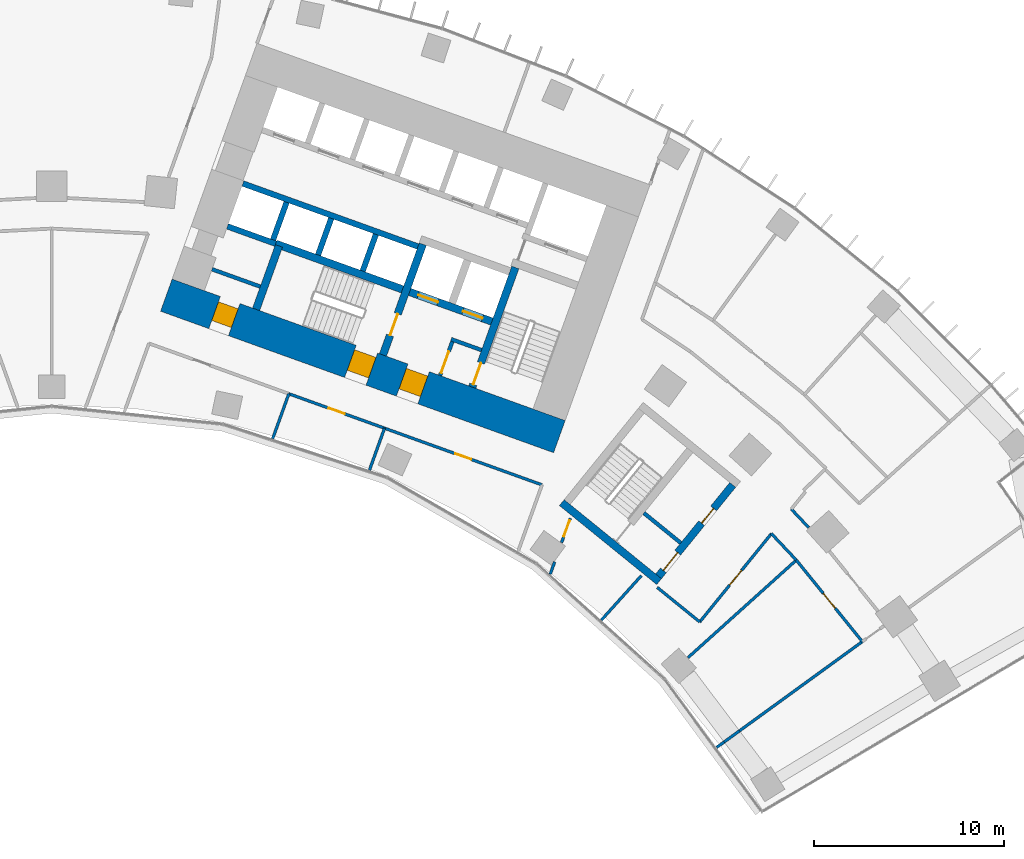
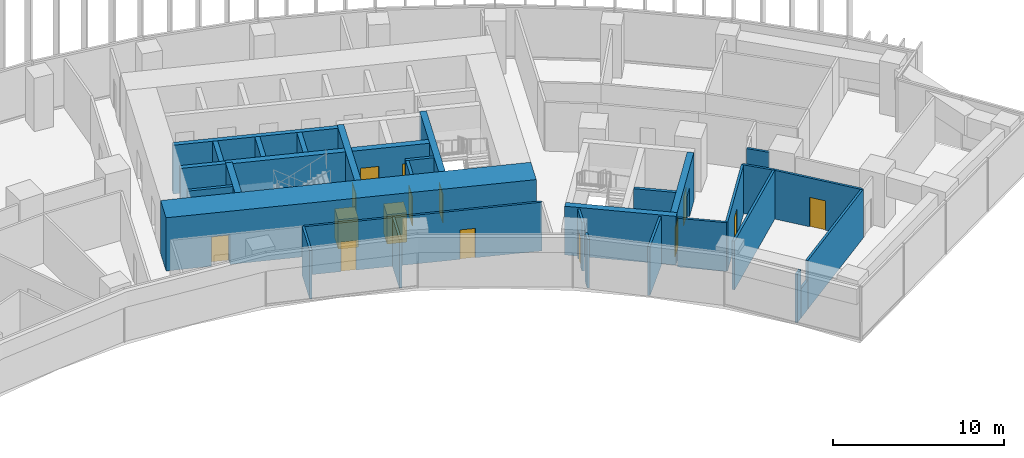
# One storey, part 20 of 24: 32 walls, 15 doors, 15 openings.
"""IFC4 building model written with IfcOpenShell, lengths in metres."""

from ifc_helpers import new_model, si_unit, direction, frame, frame_2d, origin, place, context, subcontext, project, spatial, rectangle, extrude, material, layer, layer_set, type_object, element, fill, save


model = new_model("IFC4")

# Units and contexts
model_context = context("Model", 3, precision=1e-05, world=origin(), true_north=direction((0.0, 1.0)))
body_context = subcontext(model_context, "Body", "Model", "MODEL_VIEW")
ifc_project = project(units=[si_unit("LENGTHUNIT", "METRE"), si_unit("AREAUNIT", "SQUARE_METRE"), si_unit("VOLUMEUNIT", "CUBIC_METRE"), si_unit("PLANEANGLEUNIT", "RADIAN"), si_unit("MASSUNIT", "GRAM", prefix="KILO")], contexts=[model_context])

# Site, building, storey
site_placement = place(None, origin())
site = spatial("IfcSite", under=ifc_project, at=site_placement, CompositionType="ELEMENT")
building_placement = place(site_placement, origin())
building = spatial("IfcBuilding", under=site, at=building_placement, Name="Stone Belt Terrace Tower", CompositionType="ELEMENT")
storey_placement = place(building_placement, frame((0.0, 0.0, 41.39990234375)))
storey = spatial("IfcBuildingStorey", under=building, at=storey_placement, Name="L09", CompositionType="ELEMENT", Elevation=41.39990234375)

# Wall, openings, doors
ifc_material_1 = material(Name="Concrete B80", Category="concrete")
ifc_layer_1 = layer(ifc_material_1, 1.800048828125)
ifc_layer_set_1 = layer_set([ifc_layer_1], Name="Core wall 1800 B80")
wall_type_1 = type_object("IfcWallType", Name="Core wall 1800 B80", PredefinedType="SHEAR", material=ifc_layer_set_1)
wall_1_placement = place(storey_placement, frame((6.039306640625, 49.265380859375, 0.0), z_axis=(0.0, 0.0, 1.0), x_axis=(0.940921642213, -0.338624368902, 0.0)))
wall_1 = element("IfcWall", 1, at=wall_1_placement, inside=storey, type_object=wall_type_1, Name="Core B wall concave L09", PredefinedType="SHEAR", context=body_context, shape_type="SweptSolid", body=[
    extrude(rectangle(XDim=22.0, YDim=1.800048828125, at=frame_2d((11.0, 0.0))), origin(), (0.0, 0.0, 1.0), 3.800048828125),
])
opening_1_placement = place(wall_1_placement, frame((13.199951171875, 0.0, 0.0)))
opening_1 = element("IfcOpeningElement", 2, at=opening_1_placement, cuts=wall_1, Name="Opening L09-C14", PredefinedType="OPENING", context=body_context, shape_type="SweptSolid", body=[
    extrude(rectangle(XDim=1.199951171875, YDim=2.10009765625, at=frame_2d((0.60009765625, 1.050048828125))), frame((0.0, 0.909912109375, 0.0), z_axis=(0.0, -1.0, 0.0), x_axis=(1.0, 0.0, 0.0)), (0.0, 0.0, 1.0), 1.820068359375),
])
opening_2_placement = place(wall_1_placement, frame((10.300048828125, 0.0, 0.0)))
opening_2 = element("IfcOpeningElement", 3, at=opening_2_placement, cuts=wall_1, Name="Opening L09-C16", PredefinedType="OPENING", context=body_context, shape_type="SweptSolid", body=[
    extrude(rectangle(XDim=1.199951171875, YDim=2.10009765625, at=frame_2d((0.60009765625, 1.050048828125))), frame((0.0, 0.909912109375, 0.0), z_axis=(0.0, -1.0, 0.0), x_axis=(1.0, 0.0, 0.0)), (0.0, 0.0, 1.0), 1.820068359375),
])
opening_3_placement = place(wall_1_placement, frame((2.699951171875, 0.0, 0.0)))
opening_3 = element("IfcOpeningElement", 4, at=opening_3_placement, cuts=wall_1, Name="Opening L09-C18", PredefinedType="OPENING", context=body_context, shape_type="SweptSolid", body=[
    extrude(rectangle(XDim=1.10009765625, YDim=2.10009765625, at=frame_2d((0.550048828125, 1.050048828125))), frame((0.0, 0.909912109375, 0.0), z_axis=(0.0, -1.0, 0.0), x_axis=(1.0, 0.0, 0.0)), (0.0, 0.0, 1.0), 1.820068359375),
])
ifc_material_2 = material(Name="Timber door leaf", Category="wood")
door_type_1 = type_object("IfcDoorType", Name="Core room door 1100", OperationType="SINGLE_SWING_LEFT", PredefinedType="DOOR", material=ifc_material_2)
door_1_placement = place(opening_3_placement, origin())
door_1 = element("IfcDoor", 5, at=door_1_placement, inside=storey, type_object=door_type_1, Name="Door to Pipe riser core B", OperationType="SINGLE_SWING_LEFT", OverallHeight=2.10009765625, OverallWidth=1.10009765625, PredefinedType="DOOR", context=body_context, shape_type="SweptSolid", body=[
    extrude(rectangle(XDim=1.10009765625, YDim=2.10009765625, at=frame_2d((0.550048828125, 1.050048828125))), frame((0.0, 0.60498046875, 0.0), z_axis=(0.0, -1.0, 0.0), x_axis=(1.0, 0.0, 0.0)), (0.0, 0.0, 1.0), 1.050048828125),
])
fill(opening_3, door_1)
ifc_material_3 = material(Name="Steel door leaf", Category="steel")
door_type_2 = type_object("IfcDoorType", Name="Fire-fighting lobby door 1200", OperationType="SINGLE_SWING_LEFT", PredefinedType="DOOR", material=ifc_material_3)
door_2_placement = place(opening_1_placement, origin())
door_2 = element("IfcDoor", 6, at=door_2_placement, inside=storey, type_object=door_type_2, Name="Fire-fighting lobby door core B", OperationType="SINGLE_SWING_LEFT", OverallHeight=2.10009765625, OverallWidth=1.199951171875, PredefinedType="DOOR", context=body_context, shape_type="SweptSolid", body=[
    extrude(rectangle(XDim=1.199951171875, YDim=2.10009765625, at=frame_2d((0.60009765625, 1.050048828125))), frame((0.0, 0.655029296875, 0.0), z_axis=(0.0, -1.0, 0.0), x_axis=(1.0, 0.0, 0.0)), (0.0, 0.0, 1.0), 1.14990234375),
])
fill(opening_1, door_2)
door_type_3 = type_object("IfcDoorType", Name="Stair door 1200", OperationType="SINGLE_SWING_LEFT", PredefinedType="DOOR", material=ifc_material_3)
door_3_placement = place(opening_2_placement, origin())
door_3 = element("IfcDoor", 7, at=door_3_placement, inside=storey, type_object=door_type_3, Name="Stair 2 exit door core B", OperationType="SINGLE_SWING_RIGHT", OverallHeight=2.10009765625, OverallWidth=1.199951171875, PredefinedType="DOOR", context=body_context, shape_type="SweptSolid", body=[
    extrude(rectangle(XDim=1.199951171875, YDim=2.10009765625, at=frame_2d((0.60009765625, 1.050048828125))), frame((0.0, 0.655029296875, 0.0), z_axis=(0.0, -1.0, 0.0), x_axis=(1.0, 0.0, 0.0)), (0.0, 0.0, 1.0), 1.14990234375),
])
fill(opening_2, door_3)

# Walls
ifc_layer_2 = layer(ifc_material_1, 0.300048828125)
ifc_layer_set_2 = layer_set([ifc_layer_2], Name="Lift shaft wall 300")
wall_type_2 = type_object("IfcWallType", Name="Lift shaft wall 300", PredefinedType="SHEAR", material=ifc_layer_set_2)
wall_2_placement = place(storey_placement, frame((19.29052734375, 51.829833984375, 0.0), z_axis=(0.0, 0.0, 1.0), x_axis=(-0.940925833398, 0.338612722803, 0.0)))
element("IfcWall", 8, at=wall_2_placement, inside=storey, type_object=wall_type_2, Name="Core B wall", PredefinedType="SHEAR", context=body_context, shape_type="SweptSolid", body=[
    extrude(rectangle(XDim=9.7998046875, YDim=0.300048828125, at=frame_2d((4.89990234375, 0.0))), origin(), (0.0, 0.0, 1.0), 3.47998046875),
])
for number, where, z_axis, x_axis, name in (
    (9, (16.38134765625, 50.53857421875, 0.0), (0.0, 0.0, 1.0), (0.338681515556, 0.940901073982, 0.0), "Core B wall"),
    (10, (14.029052734375, 51.38525390625, 0.0), (0.0, 0.0, 1.0), (0.338681515556, 0.940901073982, 0.0), "Core B wall"),
):
    element("IfcWall", number, at=place(storey_placement, frame(where, z_axis=z_axis, x_axis=x_axis)), inside=storey, type_object=wall_type_2, Name=name, PredefinedType="SHEAR", context=body_context, shape_type="SweptSolid", body=[
        extrude(rectangle(XDim=2.050048828125, YDim=0.300048828125, at=frame_2d((1.02490234375, 0.0))), origin(), (0.0, 0.0, 1.0), 3.47998046875),
    ])
wall_3_placement = place(storey_placement, frame((11.797119140625, 51.975830078125, 0.0), z_axis=(0.0, 0.0, 1.0), x_axis=(-0.940910465161, 0.33865542451, 0.0)))
element("IfcWall", 11, at=wall_3_placement, inside=storey, type_object=wall_type_2, Name="Core B wall", PredefinedType="SHEAR", context=body_context, shape_type="SweptSolid", body=[
    extrude(rectangle(XDim=2.69970703125, YDim=0.300048828125, at=frame_2d((1.349853515625, 0.0))), origin(), (0.0, 0.0, 1.0), 3.47998046875),
])
wall_4_placement = place(storey_placement, frame((11.659912109375, 52.184814453125, 0.0), z_axis=(0.0, 0.0, 1.0), x_axis=(0.338670064856, 0.940905195634, 0.0)))
element("IfcWall", 12, at=wall_4_placement, inside=storey, type_object=wall_type_2, Name="Core B wall", PredefinedType="SHEAR", context=body_context, shape_type="SweptSolid", body=[
    extrude(rectangle(XDim=2.099853515625, YDim=0.300048828125, at=frame_2d((1.0498046875, 0.0))), origin(), (0.0, 0.0, 1.0), 3.47998046875),
])

# Wall, opening, door
ifc_material_4 = material(Name="Gypsum board partition")
ifc_layer_3 = layer(ifc_material_4, 0.14990234375)
ifc_layer_set_3 = layer_set([ifc_layer_3], Name="PARTITION 150 EI 60")
wall_type_3 = type_object("IfcWallType", Name="PARTITION 150 EI 60", PredefinedType="PARTITIONING", material=ifc_layer_set_3)
wall_5_placement = place(storey_placement, frame((27.320068359375, 37.52099609375, 0.0), z_axis=(0.0, 0.0, 1.0), x_axis=(-0.339003916963, -0.940784961765, 0.0)))
wall_5 = element("IfcWall", 13, at=wall_5_placement, inside=storey, type_object=wall_type_3, Name="L09/wall/i024", PredefinedType="PARTITIONING", context=body_context, shape_type="SweptSolid", body=[
    extrude(rectangle(XDim=1.36767578125, YDim=0.14990234375, at=frame_2d((0.683837890625, 0.0))), origin(), (0.0, 0.0, 1.0), 3.47998046875),
])
opening_4_placement = place(wall_5_placement, frame((0.126220703125, 0.0, 0.0)))
opening_4 = element("IfcOpeningElement", 14, at=opening_4_placement, cuts=wall_5, Name="Opening D-A2-21", PredefinedType="OPENING", context=body_context, shape_type="SweptSolid", body=[
    extrude(rectangle(XDim=0.89990234375, YDim=2.10009765625, at=frame_2d((0.449951171875, 1.050048828125))), frame((0.0, 0.0849609375, 0.0), z_axis=(0.0, -1.0, 0.0), x_axis=(1.0, 0.0, 0.0)), (0.0, 0.0, 1.0), 0.169921875),
])
door_type_4 = type_object("IfcDoorType", Name="OFFICE DOOR 900 X 2100", OperationType="NOTDEFINED", PredefinedType="DOOR", material=ifc_material_2)
door_4_placement = place(opening_4_placement, origin())
door_4 = element("IfcDoor", 15, at=door_4_placement, inside=storey, type_object=door_type_4, Name="L09/door/i21", OperationType="SINGLE_SWING_LEFT", OverallHeight=2.10009765625, OverallWidth=0.89990234375, PredefinedType="DOOR", context=body_context, shape_type="SweptSolid", body=[
    extrude(rectangle(XDim=0.89990234375, YDim=2.10009765625, at=frame_2d((0.449951171875, 1.050048828125))), frame((0.0, 0.02490234375, 0.0), z_axis=(0.0, -1.0, 0.0), x_axis=(1.0, 0.0, 0.0)), (0.0, 0.0, 1.0), 0.050048828125),
])
fill(opening_4, door_4)

# Wall
wall_6_placement = place(storey_placement, frame((26.490478515625, 35.21923828125, 0.0), z_axis=(0.0, 0.0, 1.0), x_axis=(-0.338920531705, -0.940815004764, 0.0)))
element("IfcWall", 16, at=wall_6_placement, inside=storey, type_object=wall_type_3, Name="L09/wall/i025", PredefinedType="PARTITIONING", context=body_context, shape_type="SweptSolid", body=[
    extrude(rectangle(XDim=0.68798828125, YDim=0.14990234375, at=frame_2d((0.343994140625, 0.0))), origin(), (0.0, 0.0, 1.0), 3.47998046875),
])

# Wall, opening, door
wall_7_placement = place(storey_placement, frame((17.537109375, 42.258056640625, 0.0), z_axis=(0.0, 0.0, 1.0), x_axis=(-0.940937832087, 0.33857937939, 0.0)))
wall_7 = element("IfcWall", 17, at=wall_7_placement, inside=storey, type_object=wall_type_3, Name="L09/wall/i029", PredefinedType="PARTITIONING", context=body_context, shape_type="SweptSolid", body=[
    extrude(rectangle(XDim=5.369140625, YDim=0.14990234375, at=frame_2d((2.6845703125, 0.0))), origin(), (0.0, 0.0, 1.0), 3.47998046875),
])
opening_5_placement = place(wall_7_placement, frame((2.234619140625, 0.0, 0.0)))
opening_5 = element("IfcOpeningElement", 18, at=opening_5_placement, cuts=wall_7, Name="Opening D-A2-07", PredefinedType="OPENING", context=body_context, shape_type="SweptSolid", body=[
    extrude(rectangle(XDim=0.89990234375, YDim=2.10009765625, at=frame_2d((0.449951171875, 1.050048828125))), frame((0.0, 0.0849609375, 0.0), z_axis=(0.0, -1.0, 0.0), x_axis=(1.0, 0.0, 0.0)), (0.0, 0.0, 1.0), 0.169921875),
])
door_5_placement = place(opening_5_placement, origin())
door_5 = element("IfcDoor", 19, at=door_5_placement, inside=storey, type_object=door_type_4, Name="L09/door/i07", OperationType="SINGLE_SWING_RIGHT", OverallHeight=2.10009765625, OverallWidth=0.89990234375, PredefinedType="DOOR", context=body_context, shape_type="SweptSolid", body=[
    extrude(rectangle(XDim=0.89990234375, YDim=2.10009765625, at=frame_2d((0.449951171875, 1.050048828125))), frame((0.0, 0.02490234375, 0.0), z_axis=(0.0, -1.0, 0.0), x_axis=(1.0, 0.0, 0.0)), (0.0, 0.0, 1.0), 0.050048828125),
])
fill(opening_5, door_5)

wall_8_placement = place(storey_placement, frame((25.824951171875, 39.27490234375, 0.0), z_axis=(0.0, 0.0, 1.0), x_axis=(-0.940921983138, 0.338623421587, 0.0)))
wall_8 = element("IfcWall", 20, at=wall_8_placement, inside=storey, type_object=wall_type_3, Name="L09/wall/i030", PredefinedType="PARTITIONING", context=body_context, shape_type="SweptSolid", body=[
    extrude(rectangle(XDim=8.8212890625, YDim=0.14990234375, at=frame_2d((4.41064453125, 0.0))), origin(), (0.0, 0.0, 1.0), 3.47998046875),
])
opening_6_placement = place(wall_8_placement, frame((3.96044921875, 0.0, 0.0)))
opening_6 = element("IfcOpeningElement", 21, at=opening_6_placement, cuts=wall_8, Name="Opening D-A2-08", PredefinedType="OPENING", context=body_context, shape_type="SweptSolid", body=[
    extrude(rectangle(XDim=0.89990234375, YDim=2.10009765625, at=frame_2d((0.449951171875, 1.050048828125))), frame((0.0, 0.0849609375, 0.0), z_axis=(0.0, -1.0, 0.0), x_axis=(1.0, 0.0, 0.0)), (0.0, 0.0, 1.0), 0.169921875),
])
door_6_placement = place(opening_6_placement, origin())
door_6 = element("IfcDoor", 22, at=door_6_placement, inside=storey, type_object=door_type_4, Name="L09/door/i08", OperationType="SINGLE_SWING_RIGHT", OverallHeight=2.10009765625, OverallWidth=0.89990234375, PredefinedType="DOOR", context=body_context, shape_type="SweptSolid", body=[
    extrude(rectangle(XDim=0.89990234375, YDim=2.10009765625, at=frame_2d((0.449951171875, 1.050048828125))), frame((0.0, 0.02490234375, 0.0), z_axis=(0.0, -1.0, 0.0), x_axis=(1.0, 0.0, 0.0)), (0.0, 0.0, 1.0), 0.050048828125),
])
fill(opening_6, door_6)

# Walls
wall_9_placement = place(storey_placement, frame((12.490966796875, 44.073974609375, 0.0), z_axis=(0.0, 0.0, 1.0), x_axis=(-0.338695419395, -0.940896069118, 0.0)))
element("IfcWall", 23, at=wall_9_placement, inside=storey, type_object=wall_type_3, Name="L09/wall/i031", PredefinedType="PARTITIONING", context=body_context, shape_type="SweptSolid", body=[
    extrude(rectangle(XDim=2.516357421875, YDim=0.14990234375, at=frame_2d((1.25830078125, 0.0))), origin(), (0.0, 0.0, 1.0), 3.47998046875),
])
wall_10_placement = place(storey_placement, frame((17.531005859375, 42.260009765625, 0.0), z_axis=(0.0, 0.0, 1.0), x_axis=(-0.338377097513, -0.941010594988, 0.0)))
element("IfcWall", 24, at=wall_10_placement, inside=storey, type_object=wall_type_3, Name="L09/wall/i032", PredefinedType="PARTITIONING", context=body_context, shape_type="SweptSolid", body=[
    extrude(rectangle(XDim=2.348388671875, YDim=0.14990234375, at=frame_2d((1.17431640625, 0.0))), origin(), (0.0, 0.0, 1.0), 3.47998046875),
])
wall_11_placement = place(storey_placement, frame((35.01953125, 25.44287109375, 0.0), z_axis=(0.0, 0.0, 1.0), x_axis=(0.809186109871, 0.587552414336, 0.0)))
element("IfcWall", 25, at=wall_11_placement, inside=storey, type_object=wall_type_3, Name="L09/wall/i062-1", PredefinedType="PARTITIONING", context=body_context, shape_type="SweptSolid", body=[
    extrude(rectangle(XDim=0.492431640625, YDim=0.14990234375, at=frame_2d((0.24609375, 0.0))), origin(), (0.0, 0.0, 1.0), 3.47998046875),
])
wall_12_placement = place(storey_placement, frame((35.41796875, 25.732177734375, 0.0), z_axis=(0.0, 0.0, 1.0), x_axis=(0.808967693003, 0.587853103826, 0.0)))
element("IfcWall", 26, at=wall_12_placement, inside=storey, type_object=wall_type_3, Name="L09/wall/i062-2", PredefinedType="PARTITIONING", context=body_context, shape_type="SweptSolid", body=[
    extrude(rectangle(XDim=1.00244140625, YDim=0.14990234375, at=frame_2d((0.501220703125, 0.0))), origin(), (0.0, 0.0, 1.0), 2.080078125),
])
wall_13_placement = place(storey_placement, frame((36.22900390625, 26.321533203125, 0.0), z_axis=(0.0, 0.0, 1.0), x_axis=(0.80905931097, 0.587727004087, 0.0)))
element("IfcWall", 27, at=wall_13_placement, inside=storey, type_object=wall_type_3, Name="L09/wall/i062-3", PredefinedType="PARTITIONING", context=body_context, shape_type="SweptSolid", body=[
    extrude(rectangle(XDim=7.999267578125, YDim=0.14990234375, at=frame_2d((3.99951171875, 0.0))), origin(), (0.0, 0.0, 1.0), 3.47998046875),
])
wall_14_placement = place(storey_placement, frame((39.218994140625, 35.31298828125, 0.0), z_axis=(0.0, 0.0, 1.0), x_axis=(-0.685150397177, 0.728401629082, 0.0)))
element("IfcWall", 28, at=wall_14_placement, inside=storey, type_object=wall_type_3, Name="L09/wall/i068", PredefinedType="PARTITIONING", context=body_context, shape_type="SweptSolid", body=[
    extrude(rectangle(XDim=1.919189453125, YDim=0.14990234375, at=frame_2d((0.95947265625, 0.0))), origin(), (0.0, 0.0, 1.0), 3.47998046875),
])

# Wall, opening, door
wall_15_placement = place(storey_placement, frame((42.696044921875, 31.02001953125, 0.0), z_axis=(0.0, 0.0, 1.0), x_axis=(-0.629393988906, 0.777086357318, 0.0)))
wall_15 = element("IfcWall", 29, at=wall_15_placement, inside=storey, type_object=wall_type_3, Name="L09/wall/i069", PredefinedType="PARTITIONING", context=body_context, shape_type="SweptSolid", body=[
    extrude(rectangle(XDim=5.5244140625, YDim=0.14990234375, at=frame_2d((2.76220703125, 0.0))), origin(), (0.0, 0.0, 1.0), 3.47998046875),
])
opening_7_placement = place(wall_15_placement, frame((2.26220703125, 0.0, 0.0)))
opening_7 = element("IfcOpeningElement", 30, at=opening_7_placement, cuts=wall_15, Name="Opening D-A2-23", PredefinedType="OPENING", context=body_context, shape_type="SweptSolid", body=[
    extrude(rectangle(XDim=1.0, YDim=2.10009765625, at=frame_2d((0.5, 1.050048828125))), frame((0.0, 0.0849609375, 0.0), z_axis=(0.0, -1.0, 0.0), x_axis=(1.0, 0.0, 0.0)), (0.0, 0.0, 1.0), 0.169921875),
])
ifc_material_5 = material(Name="Timber fire door leaf", Category="wood")
door_type_5 = type_object("IfcDoorType", Name="TENANCY ENTRANCE DOOR 1000 X 2100", OperationType="NOTDEFINED", PredefinedType="DOOR", material=ifc_material_5)
door_7_placement = place(opening_7_placement, origin())
door_7 = element("IfcDoor", 31, at=door_7_placement, inside=storey, type_object=door_type_5, Name="L09/door/i23", OperationType="SINGLE_SWING_RIGHT", OverallHeight=2.10009765625, OverallWidth=1.0, PredefinedType="DOOR", context=body_context, shape_type="SweptSolid", body=[
    extrude(rectangle(XDim=1.0, YDim=2.10009765625, at=frame_2d((0.5, 1.050048828125))), frame((0.0, 0.02490234375, 0.0), z_axis=(0.0, -1.0, 0.0), x_axis=(1.0, 0.0, 0.0)), (0.0, 0.0, 1.0), 0.050048828125),
])
fill(opening_7, door_7)

# Wall
wall_16_placement = place(storey_placement, frame((38.951904296875, 38.00390625, 0.0), z_axis=(0.0, 0.0, 1.0), x_axis=(0.685517138115, -0.728056490494, 0.0)))
element("IfcWall", 32, at=wall_16_placement, inside=storey, type_object=wall_type_3, Name="L09/wall/i070", PredefinedType="PARTITIONING", context=body_context, shape_type="SweptSolid", body=[
    extrude(rectangle(XDim=1.3486328125, YDim=0.14990234375, at=frame_2d((0.67431640625, 0.0))), origin(), (0.0, 0.0, 1.0), 3.47998046875),
])

# Wall, opening, door
wall_17_placement = place(storey_placement, frame((34.133056640625, 32.055908203125, 0.0), z_axis=(0.0, 0.0, 1.0), x_axis=(0.630176722579, 0.776451735988, 0.0)))
wall_17 = element("IfcWall", 33, at=wall_17_placement, inside=storey, type_object=wall_type_3, Name="L09/wall/i072", PredefinedType="PARTITIONING", context=body_context, shape_type="SweptSolid", body=[
    extrude(rectangle(XDim=5.990234375, YDim=0.14990234375, at=frame_2d((2.9951171875, 0.0))), origin(), (0.0, 0.0, 1.0), 3.47998046875),
])
opening_8_placement = place(wall_17_placement, frame((2.4951171875, 0.0, 0.0)))
opening_8 = element("IfcOpeningElement", 34, at=opening_8_placement, cuts=wall_17, Name="Opening D-A2-22", PredefinedType="OPENING", context=body_context, shape_type="SweptSolid", body=[
    extrude(rectangle(XDim=1.0, YDim=2.10009765625, at=frame_2d((0.5, 1.050048828125))), frame((0.0, 0.0849609375, 0.0), z_axis=(0.0, -1.0, 0.0), x_axis=(1.0, 0.0, 0.0)), (0.0, 0.0, 1.0), 0.169921875),
])
door_8_placement = place(opening_8_placement, origin())
door_8 = element("IfcDoor", 35, at=door_8_placement, inside=storey, type_object=door_type_5, Name="L09/door/i22", OperationType="SINGLE_SWING_RIGHT", OverallHeight=2.10009765625, OverallWidth=1.0, PredefinedType="DOOR", context=body_context, shape_type="SweptSolid", body=[
    extrude(rectangle(XDim=1.0, YDim=2.10009765625, at=frame_2d((0.5, 1.050048828125))), frame((0.0, 0.02490234375, 0.0), z_axis=(0.0, -1.0, 0.0), x_axis=(1.0, 0.0, 0.0)), (0.0, 0.0, 1.0), 0.050048828125),
])
fill(opening_8, door_8)

# Walls
wall_18_placement = place(storey_placement, frame((34.133056640625, 32.055908203125, 0.0), z_axis=(0.0, 0.0, 1.0), x_axis=(-0.776369956068, 0.630277471686, 0.0)))
element("IfcWall", 36, at=wall_18_placement, inside=storey, type_object=wall_type_3, Name="L09/wall/i073", PredefinedType="PARTITIONING", context=body_context, shape_type="SweptSolid", body=[
    extrude(rectangle(XDim=2.8876953125, YDim=0.14990234375, at=frame_2d((1.44384765625, 0.0))), origin(), (0.0, 0.0, 1.0), 3.47998046875),
])
wall_19_placement = place(storey_placement, frame((31.054931640625, 34.489990234375, 0.0), z_axis=(0.0, 0.0, 1.0), x_axis=(-0.669118910745, -0.743155356089, 0.0)))
element("IfcWall", 37, at=wall_19_placement, inside=storey, type_object=wall_type_3, Name="L09/wall/i075", PredefinedType="PARTITIONING", context=body_context, shape_type="SweptSolid", body=[
    extrude(rectangle(XDim=3.149169921875, YDim=0.14990234375, at=frame_2d((1.57470703125, 0.0))), origin(), (0.0, 0.0, 1.0), 3.47998046875),
])
wall_20_placement = place(storey_placement, frame((39.218994140625, 35.31298828125, 0.0), z_axis=(0.0, 0.0, 1.0), x_axis=(-0.743135942629, -0.669140471629, 0.0)))
element("IfcWall", 38, at=wall_20_placement, inside=storey, type_object=wall_type_3, Name="L09/wall/i076", PredefinedType="PARTITIONING", context=body_context, shape_type="SweptSolid", body=[
    extrude(rectangle(XDim=7.67431640625, YDim=0.14990234375, at=frame_2d((3.837158203125, 0.0))), origin(), (0.0, 0.0, 1.0), 3.47998046875),
])
ifc_material_6 = material(Name="Concrete masonry block", Category="masonry")
ifc_layer_4 = layer(ifc_material_6, 0.199951171875)
ifc_layer_set_4 = layer_set([ifc_layer_4], Name="Rated lobby wall 200")
wall_type_4 = type_object("IfcWallType", Name="Rated lobby wall 200", PredefinedType="PARTITIONING", material=ifc_layer_set_4)
wall_21_placement = place(storey_placement, frame((22.640625, 46.373046875, 0.0), z_axis=(0.0, 0.0, 1.0), x_axis=(-0.940966110313, 0.338500781747, 0.0)))
element("IfcWall", 39, at=wall_21_placement, inside=storey, type_object=wall_type_4, Name="Core B wall", PredefinedType="PARTITIONING", context=body_context, shape_type="SweptSolid", body=[
    extrude(rectangle(XDim=1.699951171875, YDim=0.199951171875, at=frame_2d((0.85009765625, 0.0))), origin(), (0.0, 0.0, 1.0), 3.47998046875),
])

# Wall, opening, door
wall_22_placement = place(storey_placement, frame((20.4580078125, 45.032958984375, 0.0), z_axis=(0.0, 0.0, 1.0), x_axis=(0.338573865316, 0.940939816208, 0.0)))
wall_22 = element("IfcWall", 40, at=wall_22_placement, inside=storey, type_object=wall_type_4, Name="Core B wall", PredefinedType="PARTITIONING", context=body_context, shape_type="SweptSolid", body=[
    extrude(rectangle(XDim=1.900146484375, YDim=0.199951171875, at=frame_2d((0.9501953125, 0.0))), origin(), (0.0, 0.0, 1.0), 3.47998046875),
])
opening_9_placement = place(wall_22_placement, frame((0.14990234375, 0.0, 0.0)))
opening_9 = element("IfcOpeningElement", 41, at=opening_9_placement, cuts=wall_22, Name="Opening L09-C13", PredefinedType="OPENING", context=body_context, shape_type="SweptSolid", body=[
    extrude(rectangle(XDim=1.199951171875, YDim=2.10009765625, at=frame_2d((0.60009765625, 1.050048828125))), frame((0.0, 0.10986328125, 0.0), z_axis=(0.0, -1.0, 0.0), x_axis=(1.0, 0.0, 0.0)), (0.0, 0.0, 1.0), 0.219970703125),
])
door_9_placement = place(opening_9_placement, origin())
door_9 = element("IfcDoor", 42, at=door_9_placement, inside=storey, type_object=door_type_3, Name="Stair airlock door core B", OperationType="SINGLE_SWING_LEFT", OverallHeight=2.10009765625, OverallWidth=1.199951171875, PredefinedType="DOOR", context=body_context, shape_type="SweptSolid", body=[
    extrude(rectangle(XDim=1.199951171875, YDim=2.10009765625, at=frame_2d((0.60009765625, 1.050048828125))), frame((0.0, 0.02490234375, 0.0), z_axis=(0.0, -1.0, 0.0), x_axis=(1.0, 0.0, 0.0)), (0.0, 0.0, 1.0), 0.050048828125),
])
fill(opening_9, door_9)

# Walls
wall_23_placement = place(storey_placement, frame((10.984619140625, 49.717529296875, 0.0), z_axis=(0.0, 0.0, 1.0), x_axis=(-0.940920834877, 0.338626612206, 0.0)))
element("IfcWall", 43, at=wall_23_placement, inside=storey, type_object=wall_type_4, Name="Core B wall", PredefinedType="PARTITIONING", context=body_context, shape_type="SweptSolid", body=[
    extrude(rectangle(XDim=2.699951171875, YDim=0.199951171875, at=frame_2d((1.35009765625, 0.0))), origin(), (0.0, 0.0, 1.0), 3.47998046875),
])
wall_24_placement = place(storey_placement, frame((31.190673828125, 37.79296875, 0.0), z_axis=(0.0, 0.0, 1.0), x_axis=(0.776370830301, -0.630276394813, 0.0)))
element("IfcWall", 44, at=wall_24_placement, inside=storey, type_object=wall_type_4, Name="Exit stair ST3B wall", PredefinedType="PARTITIONING", context=body_context, shape_type="SweptSolid", body=[
    extrude(rectangle(XDim=2.5, YDim=0.199951171875, at=frame_2d((1.25, 0.0))), origin(), (0.0, 0.0, 1.0), 3.47998046875),
])

# Wall, opening, door
ifc_layer_5 = layer(ifc_material_1, 0.39990234375)
ifc_layer_set_5 = layer_set([ifc_layer_5], Name="Stair enclosure wall 400")
wall_type_5 = type_object("IfcWallType", Name="Stair enclosure wall 400", PredefinedType="SHEAR", material=ifc_layer_set_5)
wall_25_placement = place(storey_placement, frame((22.151611328125, 44.42333984375, 0.0), z_axis=(0.0, 0.0, 1.0), x_axis=(0.338625272931, 0.940921316866, 0.0)))
wall_25 = element("IfcWall", 45, at=wall_25_placement, inside=storey, type_object=wall_type_5, Name="Core B wall", PredefinedType="SHEAR", context=body_context, shape_type="SweptSolid", body=[
    extrude(rectangle(XDim=6.699951171875, YDim=0.39990234375, at=frame_2d((3.35009765625, 0.0))), origin(), (0.0, 0.0, 1.0), 3.47998046875),
])
opening_10_placement = place(wall_25_placement, frame((0.14990234375, 0.0, 0.0)))
opening_10 = element("IfcOpeningElement", 46, at=opening_10_placement, cuts=wall_25, Name="Opening L09-C12", PredefinedType="OPENING", context=body_context, shape_type="SweptSolid", body=[
    extrude(rectangle(XDim=1.199951171875, YDim=2.10009765625, at=frame_2d((0.60009765625, 1.050048828125))), frame((0.0, 0.2099609375, 0.0), z_axis=(0.0, -1.0, 0.0), x_axis=(1.0, 0.0, 0.0)), (0.0, 0.0, 1.0), 0.419921875),
])
door_10_placement = place(opening_10_placement, origin())
door_10 = element("IfcDoor", 47, at=door_10_placement, inside=storey, type_object=door_type_3, Name="Stair 1 door core B", OperationType="SINGLE_SWING_LEFT", OverallHeight=2.10009765625, OverallWidth=1.199951171875, PredefinedType="DOOR", context=body_context, shape_type="SweptSolid", body=[
    extrude(rectangle(XDim=1.199951171875, YDim=2.10009765625, at=frame_2d((0.60009765625, 1.050048828125))), frame((0.0, 0.02490234375, 0.0), z_axis=(0.0, -1.0, 0.0), x_axis=(1.0, 0.0, 0.0)), (0.0, 0.0, 1.0), 0.050048828125),
])
fill(opening_10, door_10)

# Wall, openings, doors
wall_26_placement = place(storey_placement, frame((23.182373046875, 47.87841796875, 0.0), z_axis=(0.0, 0.0, 1.0), x_axis=(-0.940921101762, 0.338625870628, 0.0)))
wall_26 = element("IfcWall", 48, at=wall_26_placement, inside=storey, type_object=wall_type_5, Name="Core B wall", PredefinedType="SHEAR", context=body_context, shape_type="SweptSolid", body=[
    extrude(rectangle(XDim=12.10009765625, YDim=0.39990234375, at=frame_2d((6.050048828125, 0.0))), origin(), (0.0, 0.0, 1.0), 3.47998046875),
])
opening_11_placement = place(wall_26_placement, frame((0.52001953125, 0.0, 0.0)))
opening_11 = element("IfcOpeningElement", 49, at=opening_11_placement, cuts=wall_26, Name="Opening L09-LD16", PredefinedType="OPENING", context=body_context, shape_type="SweptSolid", body=[
    extrude(rectangle(XDim=1.10009765625, YDim=2.199951171875, at=frame_2d((0.550048828125, 1.10009765625))), frame((0.0, 0.2099609375, 0.0), z_axis=(0.0, -1.0, 0.0), x_axis=(1.0, 0.0, 0.0)), (0.0, 0.0, 1.0), 0.419921875),
])
opening_12_placement = place(wall_26_placement, frame((3.02001953125, 0.0, 0.0)))
opening_12 = element("IfcOpeningElement", 50, at=opening_12_placement, cuts=wall_26, Name="Opening L09-LD17", PredefinedType="OPENING", context=body_context, shape_type="SweptSolid", body=[
    extrude(rectangle(XDim=1.10009765625, YDim=2.199951171875, at=frame_2d((0.550048828125, 1.10009765625))), frame((0.0, 0.2099609375, 0.0), z_axis=(0.0, -1.0, 0.0), x_axis=(1.0, 0.0, 0.0)), (0.0, 0.0, 1.0), 0.419921875),
])
ifc_material_7 = material(Name="Stainless steel door leaf", Category="steel")
door_type_6 = type_object("IfcDoorType", Name="Landing door 1100", OperationType="SLIDING_TO_LEFT", PredefinedType="DOOR", material=ifc_material_7)
door_11_placement = place(opening_11_placement, origin())
door_11 = element("IfcDoor", 51, at=door_11_placement, inside=storey, type_object=door_type_6, Name="Landing door FF1 core B", OperationType="SLIDING_TO_LEFT", OverallHeight=2.199951171875, OverallWidth=1.10009765625, PredefinedType="DOOR", context=body_context, shape_type="SweptSolid", body=[
    extrude(rectangle(XDim=1.10009765625, YDim=2.199951171875, at=frame_2d((0.550048828125, 1.10009765625))), frame((0.0, 0.02490234375, 0.0), z_axis=(0.0, -1.0, 0.0), x_axis=(1.0, 0.0, 0.0)), (0.0, 0.0, 1.0), 0.050048828125),
])
fill(opening_11, door_11)
door_12_placement = place(opening_12_placement, origin())
door_12 = element("IfcDoor", 52, at=door_12_placement, inside=storey, type_object=door_type_6, Name="Landing door FF2 core B", OperationType="SLIDING_TO_LEFT", OverallHeight=2.199951171875, OverallWidth=1.10009765625, PredefinedType="DOOR", context=body_context, shape_type="SweptSolid", body=[
    extrude(rectangle(XDim=1.10009765625, YDim=2.199951171875, at=frame_2d((0.550048828125, 1.10009765625))), frame((0.0, 0.02490234375, 0.0), z_axis=(0.0, -1.0, 0.0), x_axis=(1.0, 0.0, 0.0)), (0.0, 0.0, 1.0), 0.050048828125),
])
fill(opening_12, door_12)

# Wall, opening, door
wall_27_placement = place(storey_placement, frame((17.447021484375, 46.116455078125, 0.0), z_axis=(0.0, 0.0, 1.0), x_axis=(0.33860791464, 0.940927563707, 0.0)))
wall_27 = element("IfcWall", 53, at=wall_27_placement, inside=storey, type_object=wall_type_5, Name="Core B wall", PredefinedType="SHEAR", context=body_context, shape_type="SweptSolid", body=[
    extrude(rectangle(XDim=6.199951171875, YDim=0.39990234375, at=frame_2d((3.10009765625, 0.0))), origin(), (0.0, 0.0, 1.0), 3.47998046875),
])
opening_13_placement = place(wall_27_placement, frame((1.10009765625, 0.0, 0.0)))
opening_13 = element("IfcOpeningElement", 54, at=opening_13_placement, cuts=wall_27, Name="Opening L09-C15", PredefinedType="OPENING", context=body_context, shape_type="SweptSolid", body=[
    extrude(rectangle(XDim=1.199951171875, YDim=2.10009765625, at=frame_2d((0.60009765625, 1.050048828125))), frame((0.0, 0.2099609375, 0.0), z_axis=(0.0, -1.0, 0.0), x_axis=(1.0, 0.0, 0.0)), (0.0, 0.0, 1.0), 0.419921875),
])
door_13_placement = place(opening_13_placement, origin())
door_13 = element("IfcDoor", 55, at=door_13_placement, inside=storey, type_object=door_type_3, Name="Stair 2 door core B", OperationType="SINGLE_SWING_LEFT", OverallHeight=2.10009765625, OverallWidth=1.199951171875, PredefinedType="DOOR", context=body_context, shape_type="SweptSolid", body=[
    extrude(rectangle(XDim=1.199951171875, YDim=2.10009765625, at=frame_2d((0.60009765625, 1.050048828125))), frame((0.0, 0.02490234375, 0.0), z_axis=(0.0, -1.0, 0.0), x_axis=(1.0, 0.0, 0.0)), (0.0, 0.0, 1.0), 0.050048828125),
])
fill(opening_13, door_13)

# Walls
wall_28_placement = place(storey_placement, frame((10.766357421875, 48.520751953125, 0.0), z_axis=(0.0, 0.0, 1.0), x_axis=(0.338626928157, 0.94092072117, 0.0)))
element("IfcWall", 56, at=wall_28_placement, inside=storey, type_object=wall_type_5, Name="Core B wall", PredefinedType="SHEAR", context=body_context, shape_type="SweptSolid", body=[
    extrude(rectangle(XDim=3.550048828125, YDim=0.39990234375, at=frame_2d((1.77490234375, 0.0))), origin(), (0.0, 0.0, 1.0), 3.47998046875),
])
wall_29_placement = place(storey_placement, frame((26.868408203125, 38.3388671875, 0.0), z_axis=(0.0, 0.0, 1.0), x_axis=(0.776428452498, -0.630205409491, 0.0)))
element("IfcWall", 57, at=wall_29_placement, inside=storey, type_object=wall_type_5, Name="Exit stair ST3B wall", PredefinedType="SHEAR", context=body_context, shape_type="SweptSolid", body=[
    extrude(rectangle(XDim=6.60009765625, YDim=0.39990234375, at=frame_2d((3.300048828125, 0.0))), origin(), (0.0, 0.0, 1.0), 3.47998046875),
])

# Wall, openings, doors
wall_30_placement = place(storey_placement, frame((31.963623046875, 34.460693359375, 0.0), z_axis=(0.0, 0.0, 1.0), x_axis=(0.630192283849, 0.776439106033, 0.0)))
wall_30 = element("IfcWall", 58, at=wall_30_placement, inside=storey, type_object=wall_type_5, Name="Exit stair ST3B wall", PredefinedType="SHEAR", context=body_context, shape_type="SweptSolid", body=[
    extrude(rectangle(XDim=6.199951171875, YDim=0.39990234375, at=frame_2d((3.10009765625, 0.0))), origin(), (0.0, 0.0, 1.0), 3.47998046875),
])
opening_14_placement = place(wall_30_placement, frame((0.39990234375, 0.0, 0.0)))
opening_14 = element("IfcOpeningElement", 59, at=opening_14_placement, cuts=wall_30, Name="Opening L09-C23", PredefinedType="OPENING", context=body_context, shape_type="SweptSolid", body=[
    extrude(rectangle(XDim=1.199951171875, YDim=2.10009765625, at=frame_2d((0.60009765625, 1.050048828125))), frame((0.0, 0.2099609375, 0.0), z_axis=(0.0, -1.0, 0.0), x_axis=(1.0, 0.0, 0.0)), (0.0, 0.0, 1.0), 0.419921875),
])
opening_15_placement = place(wall_30_placement, frame((3.60009765625, 0.0, 0.0)))
opening_15 = element("IfcOpeningElement", 60, at=opening_15_placement, cuts=wall_30, Name="Opening L09-C24", PredefinedType="OPENING", context=body_context, shape_type="SweptSolid", body=[
    extrude(rectangle(XDim=1.0, YDim=2.10009765625, at=frame_2d((0.5, 1.050048828125))), frame((0.0, 0.2099609375, 0.0), z_axis=(0.0, -1.0, 0.0), x_axis=(1.0, 0.0, 0.0)), (0.0, 0.0, 1.0), 0.419921875),
])
door_type_7 = type_object("IfcDoorType", Name="Core room door 1000", OperationType="SINGLE_SWING_LEFT", PredefinedType="DOOR", material=ifc_material_2)
door_14_placement = place(opening_15_placement, origin())
door_14 = element("IfcDoor", 61, at=door_14_placement, inside=storey, type_object=door_type_7, Name="Door to stair pressurisation plant room ST3B", OperationType="SINGLE_SWING_RIGHT", OverallHeight=2.10009765625, OverallWidth=1.0, PredefinedType="DOOR", context=body_context, shape_type="SweptSolid", body=[
    extrude(rectangle(XDim=1.0, YDim=2.10009765625, at=frame_2d((0.5, 1.050048828125))), frame((0.0, 0.02490234375, 0.0), z_axis=(0.0, -1.0, 0.0), x_axis=(1.0, 0.0, 0.0)), (0.0, 0.0, 1.0), 0.050048828125),
])
fill(opening_15, door_14)
door_type_8 = type_object("IfcDoorType", Name="Stair airlock door 1200", OperationType="SINGLE_SWING_LEFT", PredefinedType="DOOR", material=ifc_material_3)
door_15_placement = place(opening_14_placement, origin())
door_15 = element("IfcDoor", 62, at=door_15_placement, inside=storey, type_object=door_type_8, Name="Stair airlock door ST3B", OperationType="SINGLE_SWING_RIGHT", OverallHeight=2.10009765625, OverallWidth=1.199951171875, PredefinedType="DOOR", context=body_context, shape_type="SweptSolid", body=[
    extrude(rectangle(XDim=1.199951171875, YDim=2.10009765625, at=frame_2d((0.60009765625, 1.050048828125))), frame((0.0, 0.02490234375, 0.0), z_axis=(0.0, -1.0, 0.0), x_axis=(1.0, 0.0, 0.0)), (0.0, 0.0, 1.0), 0.050048828125),
])
fill(opening_14, door_15)

save(model, "model.ifc")
